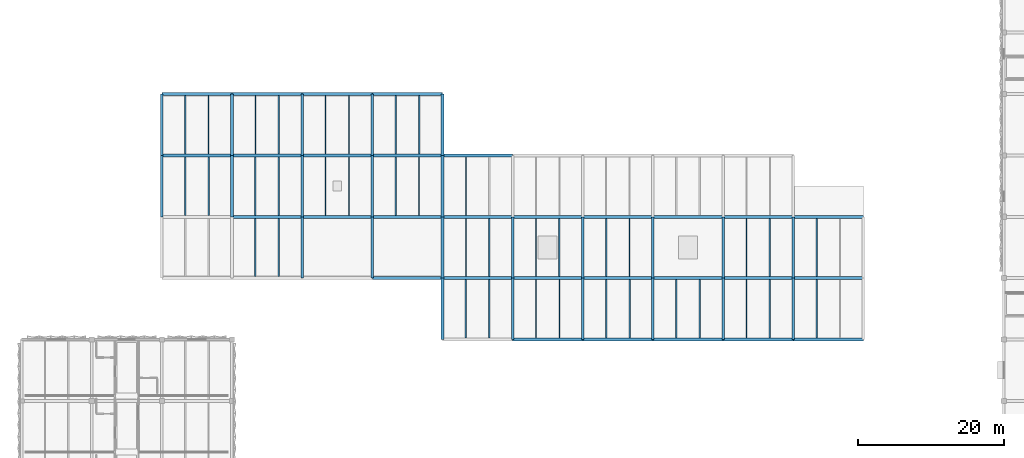
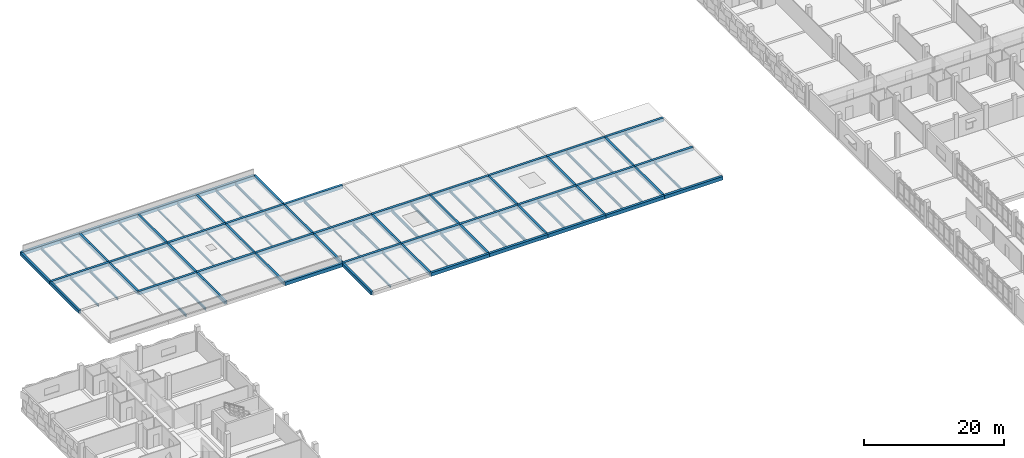
# One storey, part 4 of 57: 93 beams.
"""IFC4 building model written with IfcOpenShell, lengths in metres."""

from ifc_helpers import new_model, si_unit, direction, frame, origin, origin_2d, place, context, subcontext, project, spatial, rectangle, i_section, extrude, material, material_profile, profile_set, type_object, element, save


model = new_model("IFC4")

# Units and contexts
model_context = context("Model", 3, precision=1e-05, world=origin(), true_north=direction((0.0, 1.0)))
body_context = subcontext(model_context, "Body", "Model", "MODEL_VIEW")
ifc_project = project(units=[si_unit("LENGTHUNIT", "METRE"), si_unit("AREAUNIT", "SQUARE_METRE"), si_unit("VOLUMEUNIT", "CUBIC_METRE"), si_unit("PLANEANGLEUNIT", "RADIAN"), si_unit("MASSUNIT", "GRAM", prefix="KILO")], contexts=[model_context])

# Site, building, storey
site_placement = place(None, origin())
site = spatial("IfcSite", under=ifc_project, at=site_placement, CompositionType="ELEMENT")
building_placement = place(site_placement, origin())
building = spatial("IfcBuilding", under=site, at=building_placement, Name="Oolite Switchyard Hospital", CompositionType="ELEMENT")
storey_placement = place(building_placement, frame((0.0, 0.0, 17.800048828125)))
storey = spatial("IfcBuildingStorey", under=building, at=storey_placement, Name="L04", CompositionType="ELEMENT", Elevation=17.800048828125)

# Beams
ifc_material_1 = material(Name="Concrete C40/50", Category="concrete")
ifc_material_profile_1 = material_profile(ifc_material_1, rectangle(XDim=0.35009765625, YDim=0.550048828125, at=origin_2d()), Name="RCB350X550")
ifc_profile_set_1 = profile_set([ifc_material_profile_1], Name="Concrete C40/50")
beam_type_1 = type_object("IfcBeamType", Name="BM-RC350X550", PredefinedType="BEAM", material=ifc_profile_set_1)
beam_1_placement = place(storey_placement, frame((19.199951171875, 100.800048828125, -0.275146484375), z_axis=(0.0, 1.0, 0.0), x_axis=(-1.0, 0.0, 0.0)))
element("IfcBeam", 1, at=beam_1_placement, inside=storey, type_object=beam_type_1, Name="L04 Y-Girder 2939", PredefinedType="BEAM", context=body_context, shape_type="SweptSolid", body=[
    extrude(rectangle(XDim=0.35009765625, YDim=0.550048828125, at=origin_2d()), origin(), (0.0, 0.0, 1.0), 8.39990234375),
])
beam_2_placement = place(storey_placement, frame((19.199951171875, 109.199951171875, -0.275146484375), z_axis=(0.0, 1.0, 0.0), x_axis=(-1.0, 0.0, 0.0)))
element("IfcBeam", 2, at=beam_2_placement, inside=storey, type_object=beam_type_1, Name="L04 Y-Girder 2940", PredefinedType="BEAM", context=body_context, shape_type="SweptSolid", body=[
    extrude(rectangle(XDim=0.35009765625, YDim=0.550048828125, at=origin_2d()), origin(), (0.0, 0.0, 1.0), 8.400146484375),
])
beam_3_placement = place(storey_placement, frame((28.800048828125, 100.800048828125, -0.275146484375), z_axis=(0.0, 1.0, 0.0), x_axis=(-1.0, 0.0, 0.0)))
element("IfcBeam", 3, at=beam_3_placement, inside=storey, type_object=beam_type_1, Name="L04 Y-Girder 2947", PredefinedType="BEAM", context=body_context, shape_type="SweptSolid", body=[
    extrude(rectangle(XDim=0.35009765625, YDim=0.550048828125, at=origin_2d()), origin(), (0.0, 0.0, 1.0), 8.39990234375),
])
for number, where, z_axis, x_axis, name in (
    (4, (28.800048828125, 109.199951171875, -0.275146484375), (0.0, 1.0, 0.0), (-1.0, 0.0, 0.0), "L04 Y-Girder 2948"),
    (5, (38.39990234375, 92.39990234375, -0.275146484375), (0.0, 1.0, 0.0), (-1.0, 0.0, 0.0), "L04 Y-Girder 2949"),
):
    element("IfcBeam", number, at=place(storey_placement, frame(where, z_axis=z_axis, x_axis=x_axis)), inside=storey, type_object=beam_type_1, Name=name, PredefinedType="BEAM", context=body_context, shape_type="SweptSolid", body=[
        extrude(rectangle(XDim=0.35009765625, YDim=0.550048828125, at=origin_2d()), origin(), (0.0, 0.0, 1.0), 8.400146484375),
    ])
beam_4_placement = place(storey_placement, frame((38.39990234375, 100.800048828125, -0.275146484375), z_axis=(0.0, 1.0, 0.0), x_axis=(-1.0, 0.0, 0.0)))
element("IfcBeam", 6, at=beam_4_placement, inside=storey, type_object=beam_type_1, Name="L04 Y-Girder 2950", PredefinedType="BEAM", context=body_context, shape_type="SweptSolid", body=[
    extrude(rectangle(XDim=0.35009765625, YDim=0.550048828125, at=origin_2d()), origin(), (0.0, 0.0, 1.0), 8.39990234375),
])
for number, where, z_axis, x_axis, name in (
    (7, (38.39990234375, 109.199951171875, -0.275146484375), (0.0, 1.0, 0.0), (-1.0, 0.0, 0.0), "L04 Y-Girder 2951"),
    (8, (48.0, 92.39990234375, -0.275146484375), (0.0, 1.0, 0.0), (-1.0, 0.0, 0.0), "L04 Y-Girder 2952"),
):
    element("IfcBeam", number, at=place(storey_placement, frame(where, z_axis=z_axis, x_axis=x_axis)), inside=storey, type_object=beam_type_1, Name=name, PredefinedType="BEAM", context=body_context, shape_type="SweptSolid", body=[
        extrude(rectangle(XDim=0.35009765625, YDim=0.550048828125, at=origin_2d()), origin(), (0.0, 0.0, 1.0), 8.400146484375),
    ])
beam_5_placement = place(storey_placement, frame((48.0, 100.800048828125, -0.275146484375), z_axis=(0.0, 1.0, 0.0), x_axis=(-1.0, 0.0, 0.0)))
element("IfcBeam", 9, at=beam_5_placement, inside=storey, type_object=beam_type_1, Name="L04 Y-Girder 2953", PredefinedType="BEAM", context=body_context, shape_type="SweptSolid", body=[
    extrude(rectangle(XDim=0.35009765625, YDim=0.550048828125, at=origin_2d()), origin(), (0.0, 0.0, 1.0), 8.39990234375),
])
beam_6_placement = place(storey_placement, frame((48.0, 109.199951171875, -0.275146484375), z_axis=(0.0, 1.0, 0.0), x_axis=(-1.0, 0.0, 0.0)))
element("IfcBeam", 10, at=beam_6_placement, inside=storey, type_object=beam_type_1, Name="L04 Y-Girder 2954", PredefinedType="BEAM", context=body_context, shape_type="SweptSolid", body=[
    extrude(rectangle(XDim=0.35009765625, YDim=0.550048828125, at=origin_2d()), origin(), (0.0, 0.0, 1.0), 8.400146484375),
])
beam_7_placement = place(storey_placement, frame((57.60009765625, 84.0, -0.275146484375), z_axis=(0.0, 1.0, 0.0), x_axis=(-1.0, 0.0, 0.0)))
element("IfcBeam", 11, at=beam_7_placement, inside=storey, type_object=beam_type_1, Name="L04 Y-Girder 2955", PredefinedType="BEAM", context=body_context, shape_type="SweptSolid", body=[
    extrude(rectangle(XDim=0.35009765625, YDim=0.550048828125, at=origin_2d()), origin(), (0.0, 0.0, 1.0), 8.39990234375),
])
beam_8_placement = place(storey_placement, frame((57.60009765625, 92.39990234375, -0.275146484375), z_axis=(0.0, 1.0, 0.0), x_axis=(-1.0, 0.0, 0.0)))
element("IfcBeam", 12, at=beam_8_placement, inside=storey, type_object=beam_type_1, Name="L04 Y-Girder 2956", PredefinedType="BEAM", context=body_context, shape_type="SweptSolid", body=[
    extrude(rectangle(XDim=0.35009765625, YDim=0.550048828125, at=origin_2d()), origin(), (0.0, 0.0, 1.0), 8.400146484375),
])
beam_9_placement = place(storey_placement, frame((57.60009765625, 100.800048828125, -0.275146484375), z_axis=(0.0, 1.0, 0.0), x_axis=(-1.0, 0.0, 0.0)))
element("IfcBeam", 13, at=beam_9_placement, inside=storey, type_object=beam_type_1, Name="L04 Y-Girder 2957", PredefinedType="BEAM", context=body_context, shape_type="SweptSolid", body=[
    extrude(rectangle(XDim=0.35009765625, YDim=0.550048828125, at=origin_2d()), origin(), (0.0, 0.0, 1.0), 8.39990234375),
])
beam_10_placement = place(storey_placement, frame((57.60009765625, 109.199951171875, -0.275146484375), z_axis=(0.0, 1.0, 0.0), x_axis=(-1.0, 0.0, 0.0)))
element("IfcBeam", 14, at=beam_10_placement, inside=storey, type_object=beam_type_1, Name="L04 Y-Girder 2958", PredefinedType="BEAM", context=body_context, shape_type="SweptSolid", body=[
    extrude(rectangle(XDim=0.35009765625, YDim=0.550048828125, at=origin_2d()), origin(), (0.0, 0.0, 1.0), 8.400146484375),
])
beam_11_placement = place(storey_placement, frame((67.199951171875, 84.0, -0.275146484375), z_axis=(0.0, 1.0, 0.0), x_axis=(-1.0, 0.0, 0.0)))
element("IfcBeam", 15, at=beam_11_placement, inside=storey, type_object=beam_type_1, Name="L04 Y-Girder 2959", PredefinedType="BEAM", context=body_context, shape_type="SweptSolid", body=[
    extrude(rectangle(XDim=0.35009765625, YDim=0.550048828125, at=origin_2d()), origin(), (0.0, 0.0, 1.0), 8.39990234375),
])
beam_12_placement = place(storey_placement, frame((67.199951171875, 92.39990234375, -0.275146484375), z_axis=(0.0, 1.0, 0.0), x_axis=(-1.0, 0.0, 0.0)))
element("IfcBeam", 16, at=beam_12_placement, inside=storey, type_object=beam_type_1, Name="L04 Y-Girder 2960", PredefinedType="BEAM", context=body_context, shape_type="SweptSolid", body=[
    extrude(rectangle(XDim=0.35009765625, YDim=0.550048828125, at=origin_2d()), origin(), (0.0, 0.0, 1.0), 8.400146484375),
])
beam_13_placement = place(storey_placement, frame((76.800048828125, 84.0, -0.275146484375), z_axis=(0.0, 1.0, 0.0), x_axis=(-1.0, 0.0, 0.0)))
element("IfcBeam", 17, at=beam_13_placement, inside=storey, type_object=beam_type_1, Name="L04 Y-Girder 2962", PredefinedType="BEAM", context=body_context, shape_type="SweptSolid", body=[
    extrude(rectangle(XDim=0.35009765625, YDim=0.550048828125, at=origin_2d()), origin(), (0.0, 0.0, 1.0), 8.39990234375),
])
beam_14_placement = place(storey_placement, frame((76.800048828125, 92.39990234375, -0.275146484375), z_axis=(0.0, 1.0, 0.0), x_axis=(-1.0, 0.0, 0.0)))
element("IfcBeam", 18, at=beam_14_placement, inside=storey, type_object=beam_type_1, Name="L04 Y-Girder 2963", PredefinedType="BEAM", context=body_context, shape_type="SweptSolid", body=[
    extrude(rectangle(XDim=0.35009765625, YDim=0.550048828125, at=origin_2d()), origin(), (0.0, 0.0, 1.0), 8.400146484375),
])
beam_15_placement = place(storey_placement, frame((86.39990234375, 84.0, -0.275146484375), z_axis=(0.0, 1.0, 0.0), x_axis=(-1.0, 0.0, 0.0)))
element("IfcBeam", 19, at=beam_15_placement, inside=storey, type_object=beam_type_1, Name="L04 Y-Girder 2965", PredefinedType="BEAM", context=body_context, shape_type="SweptSolid", body=[
    extrude(rectangle(XDim=0.35009765625, YDim=0.550048828125, at=origin_2d()), origin(), (0.0, 0.0, 1.0), 8.39990234375),
])
beam_16_placement = place(storey_placement, frame((86.39990234375, 92.39990234375, -0.275146484375), z_axis=(0.0, 1.0, 0.0), x_axis=(-1.0, 0.0, 0.0)))
element("IfcBeam", 20, at=beam_16_placement, inside=storey, type_object=beam_type_1, Name="L04 Y-Girder 2966", PredefinedType="BEAM", context=body_context, shape_type="SweptSolid", body=[
    extrude(rectangle(XDim=0.35009765625, YDim=0.550048828125, at=origin_2d()), origin(), (0.0, 0.0, 1.0), 8.400146484375),
])
beam_17_placement = place(storey_placement, frame((96.0, 84.0, -0.275146484375), z_axis=(0.0, 1.0, 0.0), x_axis=(-1.0, 0.0, 0.0)))
element("IfcBeam", 21, at=beam_17_placement, inside=storey, type_object=beam_type_1, Name="L04 Y-Girder 2968", PredefinedType="BEAM", context=body_context, shape_type="SweptSolid", body=[
    extrude(rectangle(XDim=0.35009765625, YDim=0.550048828125, at=origin_2d()), origin(), (0.0, 0.0, 1.0), 8.39990234375),
])
beam_18_placement = place(storey_placement, frame((96.0, 92.39990234375, -0.275146484375), z_axis=(0.0, 1.0, 0.0), x_axis=(-1.0, 0.0, 0.0)))
element("IfcBeam", 22, at=beam_18_placement, inside=storey, type_object=beam_type_1, Name="L04 Y-Girder 2969", PredefinedType="BEAM", context=body_context, shape_type="SweptSolid", body=[
    extrude(rectangle(XDim=0.35009765625, YDim=0.550048828125, at=origin_2d()), origin(), (0.0, 0.0, 1.0), 8.400146484375),
])
beam_19_placement = place(storey_placement, frame((105.60009765625, 84.0, -0.275146484375), z_axis=(0.0, 1.0, 0.0), x_axis=(-1.0, 0.0, 0.0)))
element("IfcBeam", 23, at=beam_19_placement, inside=storey, type_object=beam_type_1, Name="L04 Y-Girder 2971", PredefinedType="BEAM", context=body_context, shape_type="SweptSolid", body=[
    extrude(rectangle(XDim=0.35009765625, YDim=0.550048828125, at=origin_2d()), origin(), (0.0, 0.0, 1.0), 8.39990234375),
])
beam_20_placement = place(storey_placement, frame((105.60009765625, 92.39990234375, -0.275146484375), z_axis=(0.0, 1.0, 0.0), x_axis=(-1.0, 0.0, 0.0)))
element("IfcBeam", 24, at=beam_20_placement, inside=storey, type_object=beam_type_1, Name="L04 Y-Girder 2972", PredefinedType="BEAM", context=body_context, shape_type="SweptSolid", body=[
    extrude(rectangle(XDim=0.35009765625, YDim=0.550048828125, at=origin_2d()), origin(), (0.0, 0.0, 1.0), 8.400146484375),
])
ifc_material_profile_2 = material_profile(ifc_material_1, rectangle(XDim=0.39990234375, YDim=0.60009765625, at=origin_2d()), Name="RCB400X600")
ifc_profile_set_2 = profile_set([ifc_material_profile_2], Name="Concrete C40/50")
beam_type_2 = type_object("IfcBeamType", Name="BM-RC400X600", PredefinedType="BEAM", material=ifc_profile_set_2)
beam_21_placement = place(storey_placement, frame((67.199951171875, 84.0, -0.300048828125), z_axis=(1.0, 0.0, 0.0), x_axis=(0.0, 1.0, 0.0)))
element("IfcBeam", 25, at=beam_21_placement, inside=storey, type_object=beam_type_2, Name="L04 X-Girder 2835", PredefinedType="BEAM", context=body_context, shape_type="SweptSolid", body=[
    extrude(rectangle(XDim=0.39990234375, YDim=0.60009765625, at=origin_2d()), origin(), (0.0, 0.0, 1.0), 9.60009765625),
])
beam_22_placement = place(storey_placement, frame((76.800048828125, 84.0, -0.300048828125), z_axis=(1.0, 0.0, 0.0), x_axis=(0.0, 1.0, 0.0)))
element("IfcBeam", 26, at=beam_22_placement, inside=storey, type_object=beam_type_2, Name="L04 X-Girder 2836", PredefinedType="BEAM", context=body_context, shape_type="SweptSolid", body=[
    extrude(rectangle(XDim=0.39990234375, YDim=0.60009765625, at=origin_2d()), origin(), (0.0, 0.0, 1.0), 9.599853515625),
])
for number, where, z_axis, x_axis, name in (
    (27, (86.39990234375, 84.0, -0.300048828125), (1.0, 0.0, 0.0), (0.0, 1.0, 0.0), "L04 X-Girder 2837"),
    (28, (96.0, 84.0, -0.300048828125), (1.0, 0.0, 0.0), (0.0, 1.0, 0.0), "L04 X-Girder 2838"),
):
    element("IfcBeam", number, at=place(storey_placement, frame(where, z_axis=z_axis, x_axis=x_axis)), inside=storey, type_object=beam_type_2, Name=name, PredefinedType="BEAM", context=body_context, shape_type="SweptSolid", body=[
        extrude(rectangle(XDim=0.39990234375, YDim=0.60009765625, at=origin_2d()), origin(), (0.0, 0.0, 1.0), 9.60009765625),
    ])
beam_23_placement = place(storey_placement, frame((105.60009765625, 84.0, -0.300048828125), z_axis=(1.0, 0.0, 0.0), x_axis=(0.0, 1.0, 0.0)))
element("IfcBeam", 29, at=beam_23_placement, inside=storey, type_object=beam_type_2, Name="L04 X-Girder 2839", PredefinedType="BEAM", context=body_context, shape_type="SweptSolid", body=[
    extrude(rectangle(XDim=0.39990234375, YDim=0.60009765625, at=origin_2d()), origin(), (0.0, 0.0, 1.0), 9.599853515625),
])
beam_24_placement = place(storey_placement, frame((48.0, 92.39990234375, -0.300048828125), z_axis=(1.0, 0.0, 0.0), x_axis=(0.0, 1.0, 0.0)))
element("IfcBeam", 30, at=beam_24_placement, inside=storey, type_object=beam_type_2, Name="L04 X-Girder 2847", PredefinedType="BEAM", context=body_context, shape_type="SweptSolid", body=[
    extrude(rectangle(XDim=0.39990234375, YDim=0.60009765625, at=origin_2d()), origin(), (0.0, 0.0, 1.0), 9.60009765625),
])
beam_25_placement = place(storey_placement, frame((57.60009765625, 92.39990234375, -0.300048828125), z_axis=(1.0, 0.0, 0.0), x_axis=(0.0, 1.0, 0.0)))
element("IfcBeam", 31, at=beam_25_placement, inside=storey, type_object=beam_type_2, Name="L04 X-Girder 2848", PredefinedType="BEAM", context=body_context, shape_type="SweptSolid", body=[
    extrude(rectangle(XDim=0.39990234375, YDim=0.60009765625, at=origin_2d()), origin(), (0.0, 0.0, 1.0), 9.599853515625),
])
beam_26_placement = place(storey_placement, frame((67.199951171875, 92.39990234375, -0.300048828125), z_axis=(1.0, 0.0, 0.0), x_axis=(0.0, 1.0, 0.0)))
element("IfcBeam", 32, at=beam_26_placement, inside=storey, type_object=beam_type_2, Name="L04 X-Girder 2849", PredefinedType="BEAM", context=body_context, shape_type="SweptSolid", body=[
    extrude(rectangle(XDim=0.39990234375, YDim=0.60009765625, at=origin_2d()), origin(), (0.0, 0.0, 1.0), 9.60009765625),
])
beam_27_placement = place(storey_placement, frame((76.800048828125, 92.39990234375, -0.300048828125), z_axis=(1.0, 0.0, 0.0), x_axis=(0.0, 1.0, 0.0)))
element("IfcBeam", 33, at=beam_27_placement, inside=storey, type_object=beam_type_2, Name="L04 X-Girder 2850", PredefinedType="BEAM", context=body_context, shape_type="SweptSolid", body=[
    extrude(rectangle(XDim=0.39990234375, YDim=0.60009765625, at=origin_2d()), origin(), (0.0, 0.0, 1.0), 9.599853515625),
])
for number, where, z_axis, x_axis, name in (
    (34, (86.39990234375, 92.39990234375, -0.300048828125), (1.0, 0.0, 0.0), (0.0, 1.0, 0.0), "L04 X-Girder 2851"),
    (35, (96.0, 92.39990234375, -0.300048828125), (1.0, 0.0, 0.0), (0.0, 1.0, 0.0), "L04 X-Girder 2852"),
):
    element("IfcBeam", number, at=place(storey_placement, frame(where, z_axis=z_axis, x_axis=x_axis)), inside=storey, type_object=beam_type_2, Name=name, PredefinedType="BEAM", context=body_context, shape_type="SweptSolid", body=[
        extrude(rectangle(XDim=0.39990234375, YDim=0.60009765625, at=origin_2d()), origin(), (0.0, 0.0, 1.0), 9.60009765625),
    ])
for number, where, z_axis, x_axis, name in (
    (36, (105.60009765625, 92.39990234375, -0.300048828125), (1.0, 0.0, 0.0), (0.0, 1.0, 0.0), "L04 X-Girder 2853"),
    (37, (28.800048828125, 100.800048828125, -0.300048828125), (1.0, 0.0, 0.0), (0.0, 1.0, 0.0), "L04 X-Girder 2859"),
):
    element("IfcBeam", number, at=place(storey_placement, frame(where, z_axis=z_axis, x_axis=x_axis)), inside=storey, type_object=beam_type_2, Name=name, PredefinedType="BEAM", context=body_context, shape_type="SweptSolid", body=[
        extrude(rectangle(XDim=0.39990234375, YDim=0.60009765625, at=origin_2d()), origin(), (0.0, 0.0, 1.0), 9.599853515625),
    ])
for number, where, z_axis, x_axis, name in (
    (38, (38.39990234375, 100.800048828125, -0.300048828125), (1.0, 0.0, 0.0), (0.0, 1.0, 0.0), "L04 X-Girder 2860"),
    (39, (48.0, 100.800048828125, -0.300048828125), (1.0, 0.0, 0.0), (0.0, 1.0, 0.0), "L04 X-Girder 2861"),
):
    element("IfcBeam", number, at=place(storey_placement, frame(where, z_axis=z_axis, x_axis=x_axis)), inside=storey, type_object=beam_type_2, Name=name, PredefinedType="BEAM", context=body_context, shape_type="SweptSolid", body=[
        extrude(rectangle(XDim=0.39990234375, YDim=0.60009765625, at=origin_2d()), origin(), (0.0, 0.0, 1.0), 9.60009765625),
    ])
beam_28_placement = place(storey_placement, frame((57.60009765625, 100.800048828125, -0.300048828125), z_axis=(1.0, 0.0, 0.0), x_axis=(0.0, 1.0, 0.0)))
element("IfcBeam", 40, at=beam_28_placement, inside=storey, type_object=beam_type_2, Name="L04 X-Girder 2862", PredefinedType="BEAM", context=body_context, shape_type="SweptSolid", body=[
    extrude(rectangle(XDim=0.39990234375, YDim=0.60009765625, at=origin_2d()), origin(), (0.0, 0.0, 1.0), 9.599853515625),
])
beam_29_placement = place(storey_placement, frame((67.199951171875, 100.800048828125, -0.300048828125), z_axis=(1.0, 0.0, 0.0), x_axis=(0.0, 1.0, 0.0)))
element("IfcBeam", 41, at=beam_29_placement, inside=storey, type_object=beam_type_2, Name="L04 X-Girder 2863", PredefinedType="BEAM", context=body_context, shape_type="SweptSolid", body=[
    extrude(rectangle(XDim=0.39990234375, YDim=0.60009765625, at=origin_2d()), origin(), (0.0, 0.0, 1.0), 9.60009765625),
])
beam_30_placement = place(storey_placement, frame((76.800048828125, 100.800048828125, -0.300048828125), z_axis=(1.0, 0.0, 0.0), x_axis=(0.0, 1.0, 0.0)))
element("IfcBeam", 42, at=beam_30_placement, inside=storey, type_object=beam_type_2, Name="L04 X-Girder 2864", PredefinedType="BEAM", context=body_context, shape_type="SweptSolid", body=[
    extrude(rectangle(XDim=0.39990234375, YDim=0.60009765625, at=origin_2d()), origin(), (0.0, 0.0, 1.0), 9.599853515625),
])
for number, where, z_axis, x_axis, name in (
    (43, (86.39990234375, 100.800048828125, -0.300048828125), (1.0, 0.0, 0.0), (0.0, 1.0, 0.0), "L04 X-Girder 2865"),
    (44, (96.0, 100.800048828125, -0.300048828125), (1.0, 0.0, 0.0), (0.0, 1.0, 0.0), "L04 X-Girder 2866"),
):
    element("IfcBeam", number, at=place(storey_placement, frame(where, z_axis=z_axis, x_axis=x_axis)), inside=storey, type_object=beam_type_2, Name=name, PredefinedType="BEAM", context=body_context, shape_type="SweptSolid", body=[
        extrude(rectangle(XDim=0.39990234375, YDim=0.60009765625, at=origin_2d()), origin(), (0.0, 0.0, 1.0), 9.60009765625),
    ])
beam_31_placement = place(storey_placement, frame((105.60009765625, 100.800048828125, -0.300048828125), z_axis=(1.0, 0.0, 0.0), x_axis=(0.0, 1.0, 0.0)))
element("IfcBeam", 45, at=beam_31_placement, inside=storey, type_object=beam_type_2, Name="L04 X-Girder 2867", PredefinedType="BEAM", context=body_context, shape_type="SweptSolid", body=[
    extrude(rectangle(XDim=0.39990234375, YDim=0.60009765625, at=origin_2d()), origin(), (0.0, 0.0, 1.0), 9.599853515625),
])
beam_32_placement = place(storey_placement, frame((19.199951171875, 109.199951171875, -0.300048828125), z_axis=(1.0, 0.0, 0.0), x_axis=(0.0, 1.0, 0.0)))
element("IfcBeam", 46, at=beam_32_placement, inside=storey, type_object=beam_type_2, Name="L04 X-Girder 2876", PredefinedType="BEAM", context=body_context, shape_type="SweptSolid", body=[
    extrude(rectangle(XDim=0.39990234375, YDim=0.60009765625, at=origin_2d()), origin(), (0.0, 0.0, 1.0), 9.60009765625),
])
beam_33_placement = place(storey_placement, frame((28.800048828125, 109.199951171875, -0.300048828125), z_axis=(1.0, 0.0, 0.0), x_axis=(0.0, 1.0, 0.0)))
element("IfcBeam", 47, at=beam_33_placement, inside=storey, type_object=beam_type_2, Name="L04 X-Girder 2877", PredefinedType="BEAM", context=body_context, shape_type="SweptSolid", body=[
    extrude(rectangle(XDim=0.39990234375, YDim=0.60009765625, at=origin_2d()), origin(), (0.0, 0.0, 1.0), 9.599853515625),
])
for number, where, z_axis, x_axis, name in (
    (48, (38.39990234375, 109.199951171875, -0.300048828125), (1.0, 0.0, 0.0), (0.0, 1.0, 0.0), "L04 X-Girder 2878"),
    (49, (48.0, 109.199951171875, -0.300048828125), (1.0, 0.0, 0.0), (0.0, 1.0, 0.0), "L04 X-Girder 2879"),
):
    element("IfcBeam", number, at=place(storey_placement, frame(where, z_axis=z_axis, x_axis=x_axis)), inside=storey, type_object=beam_type_2, Name=name, PredefinedType="BEAM", context=body_context, shape_type="SweptSolid", body=[
        extrude(rectangle(XDim=0.39990234375, YDim=0.60009765625, at=origin_2d()), origin(), (0.0, 0.0, 1.0), 9.60009765625),
    ])
beam_34_placement = place(storey_placement, frame((57.60009765625, 109.199951171875, -0.300048828125), z_axis=(1.0, 0.0, 0.0), x_axis=(0.0, 1.0, 0.0)))
element("IfcBeam", 50, at=beam_34_placement, inside=storey, type_object=beam_type_2, Name="L04 X-Girder 2880", PredefinedType="BEAM", context=body_context, shape_type="SweptSolid", body=[
    extrude(rectangle(XDim=0.39990234375, YDim=0.60009765625, at=origin_2d()), origin(), (0.0, 0.0, 1.0), 9.599853515625),
])
beam_35_placement = place(storey_placement, frame((19.199951171875, 117.60009765625, -0.300048828125), z_axis=(1.0, 0.0, 0.0), x_axis=(0.0, 1.0, 0.0)))
element("IfcBeam", 51, at=beam_35_placement, inside=storey, type_object=beam_type_2, Name="L04 X-Girder 2893", PredefinedType="BEAM", context=body_context, shape_type="SweptSolid", body=[
    extrude(rectangle(XDim=0.39990234375, YDim=0.60009765625, at=origin_2d()), origin(), (0.0, 0.0, 1.0), 9.60009765625),
])
beam_36_placement = place(storey_placement, frame((28.800048828125, 117.60009765625, -0.300048828125), z_axis=(1.0, 0.0, 0.0), x_axis=(0.0, 1.0, 0.0)))
element("IfcBeam", 52, at=beam_36_placement, inside=storey, type_object=beam_type_2, Name="L04 X-Girder 2894", PredefinedType="BEAM", context=body_context, shape_type="SweptSolid", body=[
    extrude(rectangle(XDim=0.39990234375, YDim=0.60009765625, at=origin_2d()), origin(), (0.0, 0.0, 1.0), 9.599853515625),
])
for number, where, z_axis, x_axis, name in (
    (53, (38.39990234375, 117.60009765625, -0.300048828125), (1.0, 0.0, 0.0), (0.0, 1.0, 0.0), "L04 X-Girder 2895"),
    (54, (48.0, 117.60009765625, -0.300048828125), (1.0, 0.0, 0.0), (0.0, 1.0, 0.0), "L04 X-Girder 2896"),
):
    element("IfcBeam", number, at=place(storey_placement, frame(where, z_axis=z_axis, x_axis=x_axis)), inside=storey, type_object=beam_type_2, Name=name, PredefinedType="BEAM", context=body_context, shape_type="SweptSolid", body=[
        extrude(rectangle(XDim=0.39990234375, YDim=0.60009765625, at=origin_2d()), origin(), (0.0, 0.0, 1.0), 9.60009765625),
    ])
ifc_material_2 = material(Name="Steel ASTM A992 Grade 50", Category="steel")
ifc_material_profile_3 = material_profile(ifc_material_2, i_section(OverallWidth=0.1650390625, OverallDepth=0.31005859375, WebThickness=0.006103515625, FlangeThickness=0.010009765625, at=origin_2d()), Name="W12X26")
ifc_profile_set_3 = profile_set([ifc_material_profile_3], Name="Steel ASTM A992 Grade 50")
beam_type_3 = type_object("IfcBeamType", Name="BM-W12X26", PredefinedType="JOIST", material=ifc_profile_set_3)
for number, where, z_axis, x_axis, name in (
    (55, (35.199951171875, 109.39990234375, -0.375), (0.0, 1.0, 0.0), (-1.0, 0.0, 0.0), "L04 Secondary Steel Joist 3124"),
    (56, (44.800048828125, 101.0, -0.375), (0.0, 1.0, 0.0), (-1.0, 0.0, 0.0), "L04 Secondary Steel Joist 3126"),
    (57, (41.60009765625, 109.39990234375, -0.375), (0.0, 1.0, 0.0), (-1.0, 0.0, 0.0), "L04 Secondary Steel Joist 3127"),
    (58, (51.199951171875, 101.0, -0.375), (0.0, 1.0, 0.0), (-1.0, 0.0, 0.0), "L04 Secondary Steel Joist 3129"),
    (59, (64.0, 84.199951171875, -0.375), (0.0, 1.0, 0.0), (-1.0, 0.0, 0.0), "L04 Secondary Steel Joist 3134"),
    (60, (60.800048828125, 92.60009765625, -0.375), (0.0, 1.0, 0.0), (-1.0, 0.0, 0.0), "L04 Secondary Steel Joist 3135"),
    (61, (70.39990234375, 84.199951171875, -0.375), (0.0, 1.0, 0.0), (-1.0, 0.0, 0.0), "L04 Secondary Steel Joist 3139"),
):
    element("IfcBeam", number, at=place(storey_placement, frame(where, z_axis=z_axis, x_axis=x_axis)), inside=storey, type_object=beam_type_3, Name=name, PredefinedType="JOIST", context=body_context, shape_type="SweptSolid", body=[
        extrude(i_section(OverallWidth=0.1650390625, OverallDepth=0.31005859375, WebThickness=0.006103515625, FlangeThickness=0.010009765625, at=origin_2d()), origin(), (0.0, 0.0, 1.0), 8.0),
    ])
ifc_material_profile_4 = material_profile(ifc_material_2, i_section(OverallWidth=0.1708984375, OverallDepth=0.35107421875, WebThickness=0.007080078125, FlangeThickness=0.010009765625, at=origin_2d()), Name="W14X30")
ifc_profile_set_4 = profile_set([ifc_material_profile_4], Name="Steel ASTM A992 Grade 50")
beam_type_4 = type_object("IfcBeamType", Name="BM-W14X30", PredefinedType="JOIST", material=ifc_profile_set_4)
for number, where, z_axis, x_axis, name in (
    (62, (25.60009765625, 109.39990234375, -0.39501953125), (0.0, 1.0, 0.0), (-1.0, 0.0, 0.0), "L04 Secondary Steel Joist 3118"),
    (63, (35.199951171875, 101.0, -0.39501953125), (0.0, 1.0, 0.0), (-1.0, 0.0, 0.0), "L04 Secondary Steel Joist 3122"),
    (64, (32.0, 109.39990234375, -0.39501953125), (0.0, 1.0, 0.0), (-1.0, 0.0, 0.0), "L04 Secondary Steel Joist 3123"),
    (65, (41.60009765625, 101.0, -0.39501953125), (0.0, 1.0, 0.0), (-1.0, 0.0, 0.0), "L04 Secondary Steel Joist 3125"),
    (66, (60.800048828125, 84.199951171875, -0.39501953125), (0.0, 1.0, 0.0), (-1.0, 0.0, 0.0), "L04 Secondary Steel Joist 3133"),
):
    element("IfcBeam", number, at=place(storey_placement, frame(where, z_axis=z_axis, x_axis=x_axis)), inside=storey, type_object=beam_type_4, Name=name, PredefinedType="JOIST", context=body_context, shape_type="SweptSolid", body=[
        extrude(i_section(OverallWidth=0.1708984375, OverallDepth=0.35107421875, WebThickness=0.007080078125, FlangeThickness=0.010009765625, at=origin_2d()), origin(), (0.0, 0.0, 1.0), 8.0),
    ])
ifc_material_profile_5 = material_profile(ifc_material_2, i_section(OverallWidth=0.177978515625, OverallDepth=0.403076171875, WebThickness=0.008056640625, FlangeThickness=0.010986328125, at=origin_2d()), Name="W16X36")
ifc_profile_set_5 = profile_set([ifc_material_profile_5], Name="Steel ASTM A992 Grade 50")
beam_type_5 = type_object("IfcBeamType", Name="BM-W16X36", PredefinedType="JOIST", material=ifc_profile_set_5)
for number, where, z_axis, x_axis, name in (
    (67, (25.60009765625, 101.0, -0.421142578125), (0.0, 1.0, 0.0), (-1.0, 0.0, 0.0), "L04 Secondary Steel Joist 3116"),
    (68, (22.39990234375, 109.39990234375, -0.421142578125), (0.0, 1.0, 0.0), (-1.0, 0.0, 0.0), "L04 Secondary Steel Joist 3117"),
    (69, (35.199951171875, 92.60009765625, -0.421142578125), (0.0, 1.0, 0.0), (-1.0, 0.0, 0.0), "L04 Secondary Steel Joist 3120"),
    (70, (32.0, 101.0, -0.421142578125), (0.0, 1.0, 0.0), (-1.0, 0.0, 0.0), "L04 Secondary Steel Joist 3121"),
    (71, (102.39990234375, 92.60009765625, -0.421142578125), (0.0, 1.0, 0.0), (-1.0, 0.0, 0.0), "L04 Secondary Steel Joist 3158"),
    (72, (108.800048828125, 92.60009765625, -0.421142578125), (0.0, 1.0, 0.0), (-1.0, 0.0, 0.0), "L04 Secondary Steel Joist 3163"),
):
    element("IfcBeam", number, at=place(storey_placement, frame(where, z_axis=z_axis, x_axis=x_axis)), inside=storey, type_object=beam_type_5, Name=name, PredefinedType="JOIST", context=body_context, shape_type="SweptSolid", body=[
        extrude(i_section(OverallWidth=0.177978515625, OverallDepth=0.403076171875, WebThickness=0.008056640625, FlangeThickness=0.010986328125, at=origin_2d()), origin(), (0.0, 0.0, 1.0), 8.0),
    ])
ifc_material_profile_6 = material_profile(ifc_material_2, i_section(OverallWidth=0.179931640625, OverallDepth=0.4130859375, WebThickness=0.010009765625, FlangeThickness=0.01611328125, at=origin_2d()), Name="W16X50")
ifc_profile_set_6 = profile_set([ifc_material_profile_6], Name="Steel ASTM A992 Grade 50")
beam_type_6 = type_object("IfcBeamType", Name="BM-W16X50", PredefinedType="JOIST", material=ifc_profile_set_6)
for number, where, z_axis, x_axis, name in (
    (73, (22.39990234375, 101.0, -0.426025390625), (0.0, 1.0, 0.0), (-1.0, 0.0, 0.0), "L04 Secondary Steel Joist 3115"),
    (74, (32.0, 92.60009765625, -0.426025390625), (0.0, 1.0, 0.0), (-1.0, 0.0, 0.0), "L04 Secondary Steel Joist 3119"),
    (75, (102.39990234375, 84.199951171875, -0.426025390625), (0.0, 1.0, 0.0), (-1.0, 0.0, 0.0), "L04 Secondary Steel Joist 3156"),
    (76, (99.199951171875, 92.60009765625, -0.426025390625), (0.0, 1.0, 0.0), (-1.0, 0.0, 0.0), "L04 Secondary Steel Joist 3157"),
    (77, (108.800048828125, 84.199951171875, -0.426025390625), (0.0, 1.0, 0.0), (-1.0, 0.0, 0.0), "L04 Secondary Steel Joist 3161"),
):
    element("IfcBeam", number, at=place(storey_placement, frame(where, z_axis=z_axis, x_axis=x_axis)), inside=storey, type_object=beam_type_6, Name=name, PredefinedType="JOIST", context=body_context, shape_type="SweptSolid", body=[
        extrude(i_section(OverallWidth=0.179931640625, OverallDepth=0.4130859375, WebThickness=0.010009765625, FlangeThickness=0.01611328125, at=origin_2d()), origin(), (0.0, 0.0, 1.0), 8.0),
    ])
ifc_material_profile_7 = material_profile(ifc_material_2, i_section(OverallWidth=0.153076171875, OverallDepth=0.455078125, WebThickness=0.008056640625, FlangeThickness=0.012939453125, at=origin_2d()), Name="W18X40")
ifc_profile_set_7 = profile_set([ifc_material_profile_7], Name="Steel ASTM A992 Grade 50")
beam_type_7 = type_object("IfcBeamType", Name="BM-W18X40", PredefinedType="JOIST", material=ifc_profile_set_7)
for number, where, z_axis, x_axis, name in (
    (78, (83.199951171875, 92.60009765625, -0.447021484375), (0.0, 1.0, 0.0), (-1.0, 0.0, 0.0), "L04 Secondary Steel Joist 3148"),
    (79, (92.800048828125, 84.199951171875, -0.447021484375), (0.0, 1.0, 0.0), (-1.0, 0.0, 0.0), "L04 Secondary Steel Joist 3152"),
    (80, (99.199951171875, 84.199951171875, -0.447021484375), (0.0, 1.0, 0.0), (-1.0, 0.0, 0.0), "L04 Secondary Steel Joist 3155"),
):
    element("IfcBeam", number, at=place(storey_placement, frame(where, z_axis=z_axis, x_axis=x_axis)), inside=storey, type_object=beam_type_7, Name=name, PredefinedType="JOIST", context=body_context, shape_type="SweptSolid", body=[
        extrude(i_section(OverallWidth=0.153076171875, OverallDepth=0.455078125, WebThickness=0.008056640625, FlangeThickness=0.012939453125, at=origin_2d()), origin(), (0.0, 0.0, 1.0), 8.0),
    ])
ifc_material_profile_8 = material_profile(ifc_material_2, i_section(OverallWidth=0.19091796875, OverallDepth=0.4599609375, WebThickness=0.010009765625, FlangeThickness=0.01611328125, at=origin_2d()), Name="W18X55")
ifc_profile_set_8 = profile_set([ifc_material_profile_8], Name="Steel ASTM A992 Grade 50")
beam_type_8 = type_object("IfcBeamType", Name="BM-W18X55", PredefinedType="JOIST", material=ifc_profile_set_8)
for number, where, z_axis, x_axis, name in (
    (81, (54.39990234375, 109.39990234375, -0.449951171875), (0.0, 1.0, 0.0), (-1.0, 0.0, 0.0), "L04 Secondary Steel Joist 3132"),
    (82, (73.60009765625, 92.60009765625, -0.449951171875), (0.0, 1.0, 0.0), (-1.0, 0.0, 0.0), "L04 Secondary Steel Joist 3142"),
    (83, (83.199951171875, 84.199951171875, -0.449951171875), (0.0, 1.0, 0.0), (-1.0, 0.0, 0.0), "L04 Secondary Steel Joist 3146"),
    (84, (80.0, 92.60009765625, -0.449951171875), (0.0, 1.0, 0.0), (-1.0, 0.0, 0.0), "L04 Secondary Steel Joist 3147"),
    (85, (89.60009765625, 84.199951171875, -0.449951171875), (0.0, 1.0, 0.0), (-1.0, 0.0, 0.0), "L04 Secondary Steel Joist 3151"),
):
    element("IfcBeam", number, at=place(storey_placement, frame(where, z_axis=z_axis, x_axis=x_axis)), inside=storey, type_object=beam_type_8, Name=name, PredefinedType="JOIST", context=body_context, shape_type="SweptSolid", body=[
        extrude(i_section(OverallWidth=0.19091796875, OverallDepth=0.4599609375, WebThickness=0.010009765625, FlangeThickness=0.01611328125, at=origin_2d()), origin(), (0.0, 0.0, 1.0), 8.0),
    ])
ifc_material_profile_9 = material_profile(ifc_material_2, i_section(OverallWidth=0.166015625, OverallDepth=0.529052734375, WebThickness=0.010009765625, FlangeThickness=0.013916015625, at=origin_2d()), Name="W21X50")
ifc_profile_set_9 = profile_set([ifc_material_profile_9], Name="Steel ASTM A992 Grade 50")
beam_type_9 = type_object("IfcBeamType", Name="BM-W21X50", PredefinedType="JOIST", material=ifc_profile_set_9)
for number, where, z_axis, x_axis, name in (
    (86, (44.800048828125, 109.39990234375, -0.484130859375), (0.0, 1.0, 0.0), (-1.0, 0.0, 0.0), "L04 Secondary Steel Joist 3128"),
    (87, (54.39990234375, 101.0, -0.484130859375), (0.0, 1.0, 0.0), (-1.0, 0.0, 0.0), "L04 Secondary Steel Joist 3130"),
    (88, (51.199951171875, 109.39990234375, -0.484130859375), (0.0, 1.0, 0.0), (-1.0, 0.0, 0.0), "L04 Secondary Steel Joist 3131"),
    (89, (64.0, 92.60009765625, -0.484130859375), (0.0, 1.0, 0.0), (-1.0, 0.0, 0.0), "L04 Secondary Steel Joist 3136"),
    (90, (60.800048828125, 101.0, -0.484130859375), (0.0, 1.0, 0.0), (-1.0, 0.0, 0.0), "L04 Secondary Steel Joist 3137"),
    (91, (73.60009765625, 84.199951171875, -0.484130859375), (0.0, 1.0, 0.0), (-1.0, 0.0, 0.0), "L04 Secondary Steel Joist 3140"),
    (92, (70.39990234375, 92.60009765625, -0.484130859375), (0.0, 1.0, 0.0), (-1.0, 0.0, 0.0), "L04 Secondary Steel Joist 3141"),
    (93, (80.0, 84.199951171875, -0.484130859375), (0.0, 1.0, 0.0), (-1.0, 0.0, 0.0), "L04 Secondary Steel Joist 3145"),
):
    element("IfcBeam", number, at=place(storey_placement, frame(where, z_axis=z_axis, x_axis=x_axis)), inside=storey, type_object=beam_type_9, Name=name, PredefinedType="JOIST", context=body_context, shape_type="SweptSolid", body=[
        extrude(i_section(OverallWidth=0.166015625, OverallDepth=0.529052734375, WebThickness=0.010009765625, FlangeThickness=0.013916015625, at=origin_2d()), origin(), (0.0, 0.0, 1.0), 8.0),
    ])

save(model, "model.ifc")
